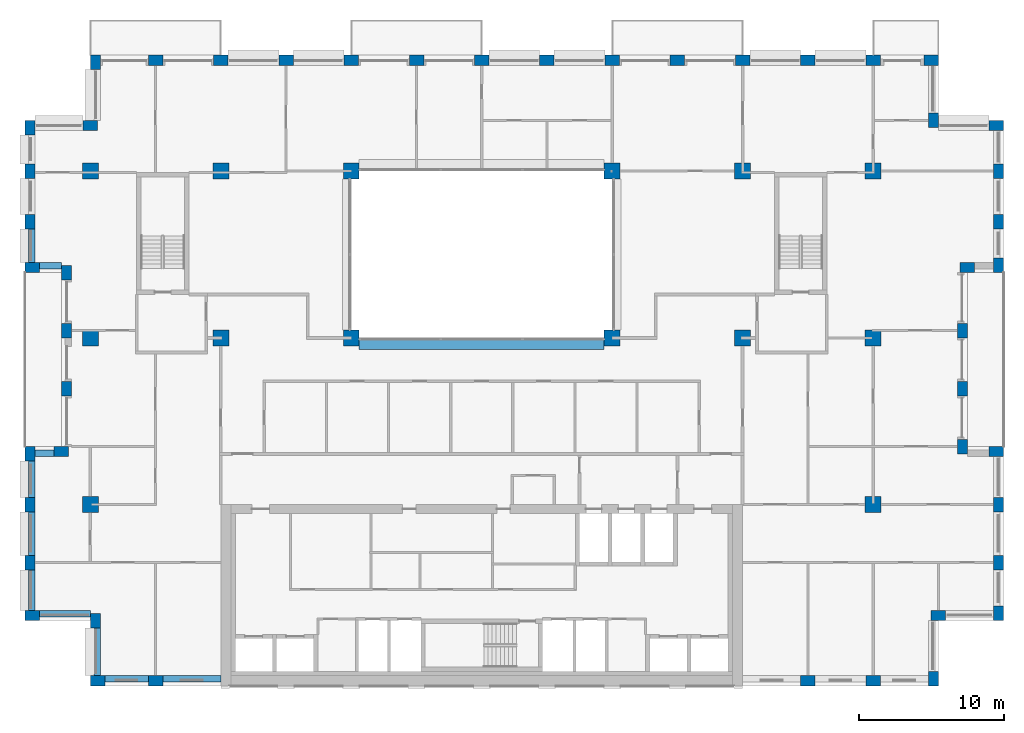
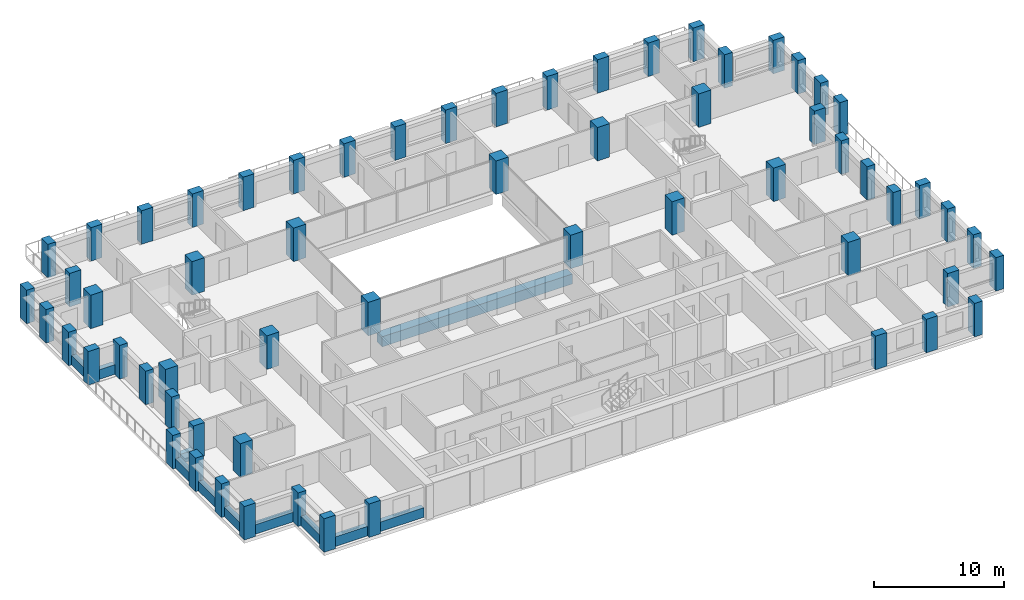
# One storey, part 1 of 15: 61 columns, 11 beams.
"""IFC4 building model written with IfcOpenShell, lengths in metres."""

from ifc_helpers import new_model, si_unit, direction, frame, origin, origin_2d, place, context, subcontext, project, spatial, rectangle, extrude, material, material_profile, profile_set, type_object, element, save


model = new_model("IFC4")

# Units and contexts
model_context = context("Model", 3, precision=1e-05, world=origin(), true_north=direction((0.0, 1.0)))
body_context = subcontext(model_context, "Body", "Model", "MODEL_VIEW")
ifc_project = project(units=[si_unit("LENGTHUNIT", "METRE"), si_unit("AREAUNIT", "SQUARE_METRE"), si_unit("VOLUMEUNIT", "CUBIC_METRE"), si_unit("PLANEANGLEUNIT", "RADIAN"), si_unit("MASSUNIT", "GRAM", prefix="KILO")], contexts=[model_context])

# Site, building, storey
site_placement = place(None, origin())
site = spatial("IfcSite", under=ifc_project, at=site_placement, CompositionType="ELEMENT")
building_placement = place(site_placement, origin())
building = spatial("IfcBuilding", under=site, at=building_placement, Name="Brigalow Station Residences", CompositionType="ELEMENT")
storey_placement = place(building_placement, frame((0.0, 0.0, 175.949951171875)))
storey = spatial("IfcBuildingStorey", under=building, at=storey_placement, Name="L51", CompositionType="ELEMENT", Elevation=175.949951171875)

# Columns
ifc_material_1 = material(Name="Concrete C65", Category="concrete")
ifc_material_profile_1 = material_profile(ifc_material_1, rectangle(XDim=1.10009765625, YDim=1.10009765625, at=origin_2d()), Name="RC1100x1100")
ifc_profile_set_1 = profile_set([ifc_material_profile_1], Name="Concrete C65")
column_type_1 = type_object("IfcColumnType", Name="COLUMN 1100x1100 C65", PredefinedType="COLUMN", material=ifc_profile_set_1)
for number, where, z_axis, x_axis, name in (
    (1, (9.0, 24.0, 0.0), (0.0, 0.0, 1.0), (1.0, 0.0, 0.0), "COLUMN C1 L51"),
    (2, (18.0, 24.0, 0.0), (0.0, 0.0, 1.0), (1.0, 0.0, 0.0), "COLUMN C2 L51"),
    (3, (27.0, 24.0, 0.0), (0.0, 0.0, 1.0), (1.0, 0.0, 0.0), "COLUMN C3 L51"),
    (4, (45.0, 24.0, 0.0), (0.0, 0.0, 1.0), (1.0, 0.0, 0.0), "COLUMN C5 L51"),
    (5, (54.0, 24.0, 0.0), (0.0, 0.0, 1.0), (1.0, 0.0, 0.0), "COLUMN C6 L51"),
    (6, (63.0, 24.0, 0.0), (0.0, 0.0, 1.0), (1.0, 0.0, 0.0), "COLUMN C7 L51"),
    (7, (9.0, 35.5, 0.0), (0.0, 0.0, 1.0), (1.0, 0.0, 0.0), "COLUMN D1 L51"),
    (8, (18.0, 35.5, 0.0), (0.0, 0.0, 1.0), (1.0, 0.0, 0.0), "COLUMN D2 L51"),
    (9, (27.0, 35.5, 0.0), (0.0, 0.0, 1.0), (1.0, 0.0, 0.0), "COLUMN D3 L51"),
    (10, (45.0, 35.5, 0.0), (0.0, 0.0, 1.0), (1.0, 0.0, 0.0), "COLUMN D5 L51"),
    (11, (54.0, 35.5, 0.0), (0.0, 0.0, 1.0), (1.0, 0.0, 0.0), "COLUMN D6 L51"),
    (12, (63.0, 35.5, 0.0), (0.0, 0.0, 1.0), (1.0, 0.0, 0.0), "COLUMN D7 L51"),
    (13, (9.0, 12.5, 0.0), (0.0, 0.0, 1.0), (1.0, 0.0, 0.0), "COLUMN B1 L51"),
    (14, (63.0, 12.5, 0.0), (0.0, 0.0, 1.0), (1.0, 0.0, 0.0), "COLUMN B7 L51"),
):
    element("IfcColumn", number, at=place(storey_placement, frame(where, z_axis=z_axis, x_axis=x_axis)), inside=storey, type_object=column_type_1, Name=name, PredefinedType="COLUMN", context=body_context, shape_type="SweptSolid", body=[
        extrude(rectangle(XDim=1.10009765625, YDim=1.10009765625, at=origin_2d()), origin(), (0.0, 0.0, 1.0), 3.150146484375),
    ])
ifc_material_2 = material(Name="Concrete C65", Category="concrete")
ifc_material_profile_2 = material_profile(ifc_material_2, rectangle(XDim=1.0, YDim=0.699951171875, at=origin_2d()), Name="RC1000x700")
ifc_profile_set_2 = profile_set([ifc_material_profile_2], Name="Concrete C65")
column_type_2 = type_object("IfcColumnType", Name="PIER 1000x700 C65", PredefinedType="USERDEFINED", material=ifc_profile_set_2)
for number, where, z_axis, x_axis, name in (
    (15, (9.5, 0.35009765625, 0.0), (0.0, 0.0, 1.0), (1.0, 0.0, 0.0), "PIER S-1 L51"),
    (16, (13.5, 0.35009765625, 0.0), (0.0, 0.0, 1.0), (1.0, 0.0, 0.0), "PIER S-2 L51"),
    (17, (58.5, 0.35009765625, 0.0), (0.0, 0.0, 1.0), (1.0, 0.0, 0.0), "PIER S-12 L51"),
    (18, (63.0, 0.35009765625, 0.0), (0.0, 0.0, 1.0), (1.0, 0.0, 0.0), "PIER S-13 L51"),
    (19, (67.14990234375, 0.5, 0.0), (0.0, 0.0, 1.0), (0.0, 1.0, 0.0), "PIER SE1-1 L51"),
    (20, (67.5, 4.85009765625, 0.0), (0.0, 0.0, 1.0), (1.0, 0.0, 0.0), "PIER SE2-1 L51"),
    (21, (71.64990234375, 5.0, 0.0), (0.0, 0.0, 1.0), (0.0, 1.0, 0.0), "PIER E1-1 L51"),
    (22, (71.64990234375, 8.5, 0.0), (0.0, 0.0, 1.0), (0.0, 1.0, 0.0), "PIER E1-2 L51"),
    (23, (71.64990234375, 12.5, 0.0), (0.0, 0.0, 1.0), (0.0, 1.0, 0.0), "PIER E1-3 L51"),
    (24, (71.5, 16.14990234375, 0.0), (0.0, 0.0, 1.0), (-1.0, 0.0, 0.0), "PIER EL1-1 L51"),
    (25, (69.14990234375, 16.5, 0.0), (0.0, 0.0, 1.0), (0.0, 1.0, 0.0), "PIER EL2-1 L51"),
    (26, (69.14990234375, 20.5, 0.0), (0.0, 0.0, 1.0), (0.0, 1.0, 0.0), "PIER EL2-2 L51"),
    (27, (69.14990234375, 24.5, 0.0), (0.0, 0.0, 1.0), (0.0, 1.0, 0.0), "PIER EL2-3 L51"),
    (28, (69.5, 28.85009765625, 0.0), (0.0, 0.0, 1.0), (1.0, 0.0, 0.0), "PIER EL3-1 L51"),
    (29, (71.64990234375, 29.0, 0.0), (0.0, 0.0, 1.0), (0.0, 1.0, 0.0), "PIER E2-1 L51"),
    (30, (71.64990234375, 32.0, 0.0), (0.0, 0.0, 1.0), (0.0, 1.0, 0.0), "PIER E2-2 L51"),
    (31, (71.64990234375, 35.5, 0.0), (0.0, 0.0, 1.0), (0.0, 1.0, 0.0), "PIER E2-3 L51"),
    (32, (71.5, 38.64990234375, 0.0), (0.0, 0.0, 1.0), (-1.0, 0.0, 0.0), "PIER NE1-1 L51"),
    (33, (67.14990234375, 39.0, 0.0), (0.0, 0.0, 1.0), (0.0, 1.0, 0.0), "PIER NE2-1 L51"),
    (34, (67.0, 43.14990234375, 0.0), (0.0, 0.0, 1.0), (-1.0, 0.0, 0.0), "PIER N-1 L51"),
    (35, (63.0, 43.14990234375, 0.0), (0.0, 0.0, 1.0), (-1.0, 0.0, 0.0), "PIER N-2 L51"),
    (36, (58.5, 43.14990234375, 0.0), (0.0, 0.0, 1.0), (-1.0, 0.0, 0.0), "PIER N-3 L51"),
    (37, (54.0, 43.14990234375, 0.0), (0.0, 0.0, 1.0), (-1.0, 0.0, 0.0), "PIER N-4 L51"),
    (38, (49.5, 43.14990234375, 0.0), (0.0, 0.0, 1.0), (-1.0, 0.0, 0.0), "PIER N-5 L51"),
    (39, (45.0, 43.14990234375, 0.0), (0.0, 0.0, 1.0), (-1.0, 0.0, 0.0), "PIER N-6 L51"),
    (40, (40.5, 43.14990234375, 0.0), (0.0, 0.0, 1.0), (-1.0, 0.0, 0.0), "PIER N-7 L51"),
    (41, (36.0, 43.14990234375, 0.0), (0.0, 0.0, 1.0), (-1.0, 0.0, 0.0), "PIER N-8 L51"),
    (42, (31.5, 43.14990234375, 0.0), (0.0, 0.0, 1.0), (-1.0, 0.0, 0.0), "PIER N-9 L51"),
    (43, (27.0, 43.14990234375, 0.0), (0.0, 0.0, 1.0), (-1.0, 0.0, 0.0), "PIER N-10 L51"),
    (44, (22.5, 43.14990234375, 0.0), (0.0, 0.0, 1.0), (-1.0, 0.0, 0.0), "PIER N-11 L51"),
    (45, (18.0, 43.14990234375, 0.0), (0.0, 0.0, 1.0), (-1.0, 0.0, 0.0), "PIER N-12 L51"),
    (46, (13.5, 43.14990234375, 0.0), (0.0, 0.0, 1.0), (-1.0, 0.0, 0.0), "PIER N-13 L51"),
    (47, (9.35009765625, 43.0, 0.0), (0.0, 0.0, 1.0), (0.0, -1.0, 0.0), "PIER NW1-1 L51"),
    (48, (9.0, 38.64990234375, 0.0), (0.0, 0.0, 1.0), (-1.0, 0.0, 0.0), "PIER NW2-1 L51"),
    (49, (4.85009765625, 38.5, 0.0), (0.0, 0.0, 1.0), (0.0, -1.0, 0.0), "PIER W2-1 L51"),
    (50, (4.85009765625, 35.5, 0.0), (0.0, 0.0, 1.0), (0.0, -1.0, 0.0), "PIER W2-2 L51"),
    (51, (4.85009765625, 32.0, 0.0), (0.0, 0.0, 1.0), (0.0, -1.0, 0.0), "PIER W2-3 L51"),
    (52, (5.0, 28.85009765625, 0.0), (0.0, 0.0, 1.0), (1.0, 0.0, 0.0), "PIER WL1-1 L51"),
    (53, (7.35009765625, 28.5, 0.0), (0.0, 0.0, 1.0), (0.0, -1.0, 0.0), "PIER WL2-1 L51"),
    (54, (7.35009765625, 24.5, 0.0), (0.0, 0.0, 1.0), (0.0, -1.0, 0.0), "PIER WL2-2 L51"),
    (55, (7.35009765625, 20.5, 0.0), (0.0, 0.0, 1.0), (0.0, -1.0, 0.0), "PIER WL2-3 L51"),
    (56, (7.0, 16.14990234375, 0.0), (0.0, 0.0, 1.0), (-1.0, 0.0, 0.0), "PIER WL3-1 L51"),
    (57, (4.85009765625, 16.0, 0.0), (0.0, 0.0, 1.0), (0.0, -1.0, 0.0), "PIER W1-1 L51"),
    (58, (4.85009765625, 12.5, 0.0), (0.0, 0.0, 1.0), (0.0, -1.0, 0.0), "PIER W1-2 L51"),
    (59, (4.85009765625, 8.5, 0.0), (0.0, 0.0, 1.0), (0.0, -1.0, 0.0), "PIER W1-3 L51"),
    (60, (5.0, 4.85009765625, 0.0), (0.0, 0.0, 1.0), (1.0, 0.0, 0.0), "PIER SW1-1 L51"),
    (61, (9.35009765625, 4.5, 0.0), (0.0, 0.0, 1.0), (0.0, -1.0, 0.0), "PIER SW2-1 L51"),
):
    element("IfcColumn", number, at=place(storey_placement, frame(where, z_axis=z_axis, x_axis=x_axis)), inside=storey, type_object=column_type_2, Name=name, ObjectType="PIER", PredefinedType="USERDEFINED", context=body_context, shape_type="SweptSolid", body=[
        extrude(rectangle(XDim=1.0, YDim=0.699951171875, at=origin_2d()), origin(), (0.0, 0.0, 1.0), 3.150146484375),
    ])

# Beams
ifc_material_3 = material(Name="Concrete C65", Category="concrete")
ifc_material_profile_3 = material_profile(ifc_material_3, rectangle(XDim=0.800048828125, YDim=0.949951171875, at=origin_2d()), Name="RC800x950")
ifc_profile_set_3 = profile_set([ifc_material_profile_3], Name="Concrete C65")
beam_type_1 = type_object("IfcBeamType", Name="ATRIUM EDGE GIRDER OVER 13.5 M SPAN 800x950 C65", PredefinedType="BEAM", material=ifc_profile_set_3)
beam_1_placement = place(storey_placement, frame((27.550048828125, 23.60009765625, -0.794921875), z_axis=(1.0, 0.0, 0.0), x_axis=(0.0, 1.0, 0.0)))
element("IfcBeam", 62, at=beam_1_placement, inside=storey, type_object=beam_type_1, Name="ATRIUM EDGE GIRDER C L51", PredefinedType="BEAM", context=body_context, shape_type="SweptSolid", body=[
    extrude(rectangle(XDim=0.800048828125, YDim=0.949951171875, at=origin_2d()), origin(), (0.0, 0.0, 1.0), 16.89990234375),
])
ifc_material_4 = material(Name="Concrete C50", Category="concrete")
ifc_material_profile_4 = material_profile(ifc_material_4, rectangle(XDim=0.449951171875, YDim=0.89990234375, at=origin_2d()), Name="RC450x900")
ifc_profile_set_4 = profile_set([ifc_material_profile_4], Name="Concrete C50")
beam_type_2 = type_object("IfcBeamType", Name="SPANDREL BEAM 450x900 C50", PredefinedType="SPANDREL", material=ifc_profile_set_4)
beam_2_placement = place(storey_placement, frame((10.0, 0.47509765625, 0.449951171875), z_axis=(1.0, 0.0, 0.0), x_axis=(0.0, 1.0, 0.0)))
element("IfcBeam", 63, at=beam_2_placement, inside=storey, type_object=beam_type_2, Name="L51/spandrel/W-L51-1", PredefinedType="SPANDREL", context=body_context, shape_type="SweptSolid", body=[
    extrude(rectangle(XDim=0.449951171875, YDim=0.89990234375, at=origin_2d()), origin(), (0.0, 0.0, 1.0), 3.0),
])
beam_3_placement = place(storey_placement, frame((14.0, 0.47509765625, 0.449951171875), z_axis=(1.0, 0.0, 0.0), x_axis=(0.0, 1.0, 0.0)))
element("IfcBeam", 64, at=beam_3_placement, inside=storey, type_object=beam_type_2, Name="L51/spandrel/W-L51-2", PredefinedType="SPANDREL", context=body_context, shape_type="SweptSolid", body=[
    extrude(rectangle(XDim=0.449951171875, YDim=0.89990234375, at=origin_2d()), origin(), (0.0, 0.0, 1.0), 4.0),
])
beam_4_placement = place(storey_placement, frame((4.97509765625, 31.5, 0.449951171875), z_axis=(0.0, -1.0, 0.0), x_axis=(1.0, 0.0, 0.0)))
element("IfcBeam", 65, at=beam_4_placement, inside=storey, type_object=beam_type_2, Name="L51/spandrel/W-L51-39", PredefinedType="SPANDREL", context=body_context, shape_type="SweptSolid", body=[
    extrude(rectangle(XDim=0.449951171875, YDim=0.89990234375, at=origin_2d()), origin(), (0.0, 0.0, 1.0), 2.300048828125),
])
beam_5_placement = place(storey_placement, frame((5.5, 28.97509765625, 0.449951171875), z_axis=(1.0, 0.0, 0.0), x_axis=(0.0, 1.0, 0.0)))
element("IfcBeam", 66, at=beam_5_placement, inside=storey, type_object=beam_type_2, Name="L51/spandrel/W-L51-40", PredefinedType="SPANDREL", context=body_context, shape_type="SweptSolid", body=[
    extrude(rectangle(XDim=0.449951171875, YDim=0.89990234375, at=origin_2d()), origin(), (0.0, 0.0, 1.0), 1.5),
])
beam_6_placement = place(storey_placement, frame((6.5, 16.02490234375, 0.449951171875), z_axis=(-1.0, 0.0, 0.0), x_axis=(0.0, -1.0, 0.0)))
element("IfcBeam", 67, at=beam_6_placement, inside=storey, type_object=beam_type_2, Name="L51/spandrel/W-L51-44", PredefinedType="SPANDREL", context=body_context, shape_type="SweptSolid", body=[
    extrude(rectangle(XDim=0.449951171875, YDim=0.89990234375, at=origin_2d()), origin(), (0.0, 0.0, 1.0), 1.300048828125),
])
beam_7_placement = place(storey_placement, frame((4.97509765625, 15.5, 0.449951171875), z_axis=(0.0, -1.0, 0.0), x_axis=(1.0, 0.0, 0.0)))
element("IfcBeam", 68, at=beam_7_placement, inside=storey, type_object=beam_type_2, Name="L51/spandrel/W-L51-45", PredefinedType="SPANDREL", context=body_context, shape_type="SweptSolid", body=[
    extrude(rectangle(XDim=0.449951171875, YDim=0.89990234375, at=origin_2d()), origin(), (0.0, 0.0, 1.0), 2.5),
])
beam_8_placement = place(storey_placement, frame((4.97509765625, 12.0, 0.449951171875), z_axis=(0.0, -1.0, 0.0), x_axis=(1.0, 0.0, 0.0)))
element("IfcBeam", 69, at=beam_8_placement, inside=storey, type_object=beam_type_2, Name="L51/spandrel/W-L51-46", PredefinedType="SPANDREL", context=body_context, shape_type="SweptSolid", body=[
    extrude(rectangle(XDim=0.449951171875, YDim=0.89990234375, at=origin_2d()), origin(), (0.0, 0.0, 1.0), 3.0),
])
beam_9_placement = place(storey_placement, frame((4.97509765625, 8.0, 0.449951171875), z_axis=(0.0, -1.0, 0.0), x_axis=(1.0, 0.0, 0.0)))
element("IfcBeam", 70, at=beam_9_placement, inside=storey, type_object=beam_type_2, Name="L51/spandrel/W-L51-47", PredefinedType="SPANDREL", context=body_context, shape_type="SweptSolid", body=[
    extrude(rectangle(XDim=0.449951171875, YDim=0.89990234375, at=origin_2d()), origin(), (0.0, 0.0, 1.0), 2.800048828125),
])
beam_10_placement = place(storey_placement, frame((5.5, 4.97509765625, 0.449951171875), z_axis=(1.0, 0.0, 0.0), x_axis=(0.0, 1.0, 0.0)))
element("IfcBeam", 71, at=beam_10_placement, inside=storey, type_object=beam_type_2, Name="L51/spandrel/W-L51-48", PredefinedType="SPANDREL", context=body_context, shape_type="SweptSolid", body=[
    extrude(rectangle(XDim=0.449951171875, YDim=0.89990234375, at=origin_2d()), origin(), (0.0, 0.0, 1.0), 3.5),
])
beam_11_placement = place(storey_placement, frame((9.47509765625, 4.0, 0.449951171875), z_axis=(0.0, -1.0, 0.0), x_axis=(1.0, 0.0, 0.0)))
element("IfcBeam", 72, at=beam_11_placement, inside=storey, type_object=beam_type_2, Name="L51/spandrel/W-L51-49", PredefinedType="SPANDREL", context=body_context, shape_type="SweptSolid", body=[
    extrude(rectangle(XDim=0.449951171875, YDim=0.89990234375, at=origin_2d()), origin(), (0.0, 0.0, 1.0), 3.300048828125),
])

save(model, "model.ifc")
